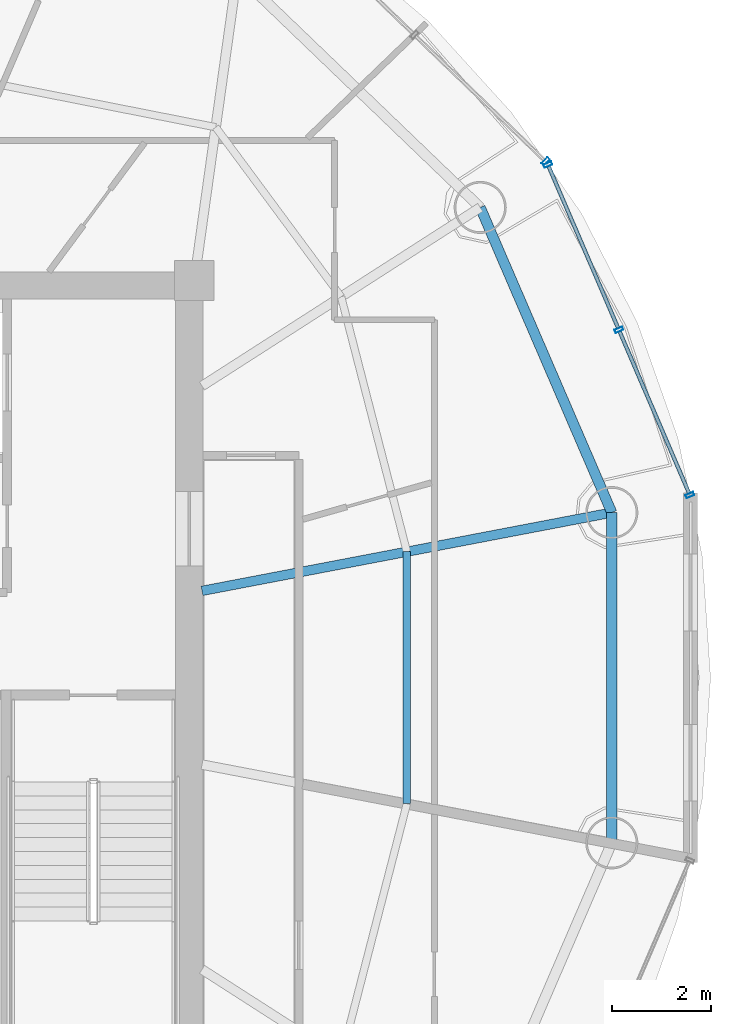
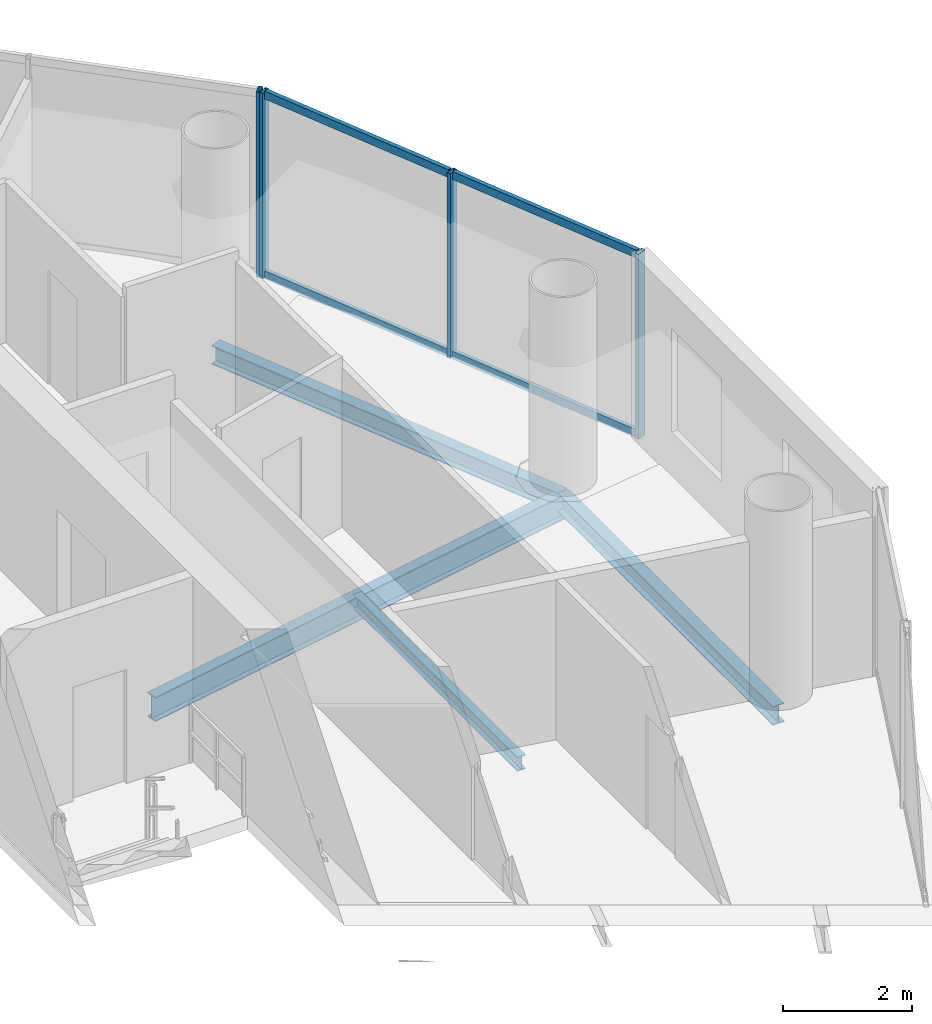
# One storey, part 11 of 23: 8 members, 4 beams, 2 elements without a shape of their own.
"""IFC4 building model written with IfcOpenShell, lengths in metres."""

from ifc_helpers import new_model, si_unit, direction, frame, origin, origin_2d, place, context, subcontext, project, spatial, hollow_rectangle, i_section, extrude, source, transform, mapped, material, material_profile, profile_set, type_object, element, aggregate, save


model = new_model("IFC4")

# Units and contexts
model_context = context("Model", 3, precision=1e-05, world=origin(), true_north=direction((-0.2419218956, 0.970295726276)))
body_context = subcontext(model_context, "Body", "Model", "MODEL_VIEW")
ifc_project = project(units=[si_unit("LENGTHUNIT", "METRE"), si_unit("AREAUNIT", "SQUARE_METRE"), si_unit("VOLUMEUNIT", "CUBIC_METRE"), si_unit("PLANEANGLEUNIT", "RADIAN"), si_unit("MASSUNIT", "GRAM", prefix="KILO")], contexts=[model_context])

# Site, building, storey
site_placement = place(None, origin())
site = spatial("IfcSite", under=ifc_project, at=site_placement, CompositionType="ELEMENT")
building_placement = place(site_placement, origin())
building = spatial("IfcBuilding", under=site, at=building_placement, Name="Cobrevalo Terracotta Tower", CompositionType="ELEMENT")
storey_placement = place(building_placement, frame((0.0, 0.0, 259.449951171875)))
storey = spatial("IfcBuildingStorey", under=building, at=storey_placement, Name="L68", CompositionType="ELEMENT", Elevation=259.449951171875)

# Beams
ifc_material_1 = material(Name="Steel S355", Category="steel")
ifc_material_profile_1 = material_profile(ifc_material_1, i_section(OverallWidth=0.19091796875, OverallDepth=0.4599609375, WebThickness=0.010009765625, FlangeThickness=0.01611328125, at=origin_2d()), Name="W 460x82")
ifc_profile_set_1 = profile_set([ifc_material_profile_1], Name="Steel S355")
beam_type_1 = type_object("IfcBeamType", Name="Structural Beam W 460x82 (Steel S355)", PredefinedType="BEAM", material=ifc_profile_set_1)
beam_1_placement = place(storey_placement, frame((55.408935546875, 30.126220703125, -0.489990234375), z_axis=(-0.982234917636, -0.187655446433, 0.0), x_axis=(0.187655446433, -0.982234917636, 0.0)))
element("IfcBeam", 1, at=beam_1_placement, inside=storey, type_object=beam_type_1, Name="L68 radial floor girder 01", PredefinedType="BEAM", context=body_context, shape_type="SweptSolid", body=[
    extrude(i_section(OverallWidth=0.19091796875, OverallDepth=0.4599609375, WebThickness=0.010009765625, FlangeThickness=0.01611328125, at=origin_2d()), origin(), (0.0, 0.0, 1.0), 8.403076171875),
])
ifc_material_profile_2 = material_profile(ifc_material_1, i_section(OverallWidth=0.14794921875, OverallDepth=0.26611328125, WebThickness=0.007568359375, FlangeThickness=0.012939453125, at=origin_2d()), Name="W 250x44.8")
ifc_profile_set_2 = profile_set([ifc_material_profile_2], Name="Steel S355")
beam_type_2 = type_object("IfcBeamType", Name="Structural Joist W 250x44.8 (Steel S355)", PredefinedType="JOIST", material=ifc_profile_set_2)
beam_2_placement = place(storey_placement, frame((51.281982421875, 24.26220703125, -0.39306640625), z_axis=(0.0, 1.0, 0.0), x_axis=(-1.0, 0.0, 0.0)))
element("IfcBeam", 2, at=beam_2_placement, inside=storey, type_object=beam_type_2, Name="L68 circumferential secondary floor joist 16", PredefinedType="JOIST", context=body_context, shape_type="SweptSolid", body=[
    extrude(i_section(OverallWidth=0.14794921875, OverallDepth=0.26611328125, WebThickness=0.007568359375, FlangeThickness=0.012939453125, at=origin_2d()), origin(), (0.0, 0.0, 1.0), 5.075439453125),
])
ifc_material_profile_3 = material_profile(ifc_material_1, i_section(OverallWidth=0.205078125, OverallDepth=0.35400390625, WebThickness=0.009521484375, FlangeThickness=0.016845703125, at=origin_2d()), Name="W 360x79")
ifc_profile_set_3 = profile_set([ifc_material_profile_3], Name="Steel S355")
beam_type_3 = type_object("IfcBeamType", Name="Structural Spandrel W 360x79 (Steel S355)", PredefinedType="SPANDREL", material=ifc_profile_set_3)
beam_3_placement = place(storey_placement, frame((55.408935546875, 30.126220703125, -0.43701171875), z_axis=(-0.395974127655, 0.918261667624, 0.0), x_axis=(-0.918261667624, -0.395974127655, 0.0)))
element("IfcBeam", 3, at=beam_3_placement, inside=storey, type_object=beam_type_3, Name="L68 perimeter ring spandrel 01", PredefinedType="SPANDREL", context=body_context, shape_type="SweptSolid", body=[
    extrude(i_section(OverallWidth=0.205078125, OverallDepth=0.35400390625, WebThickness=0.009521484375, FlangeThickness=0.016845703125, at=origin_2d()), origin(), (0.0, 0.0, 1.0), 6.693359375),
])
beam_4_placement = place(storey_placement, frame((55.408935546875, 23.4736328125, -0.43701171875), z_axis=(0.0, 1.0, 0.0), x_axis=(-1.0, 0.0, 0.0)))
element("IfcBeam", 4, at=beam_4_placement, inside=storey, type_object=beam_type_3, Name="L68 perimeter ring spandrel 16", PredefinedType="SPANDREL", context=body_context, shape_type="SweptSolid", body=[
    extrude(i_section(OverallWidth=0.205078125, OverallDepth=0.35400390625, WebThickness=0.009521484375, FlangeThickness=0.016845703125, at=origin_2d()), origin(), (0.0, 0.0, 1.0), 6.652587890625),
])

# Curtain wall, members
ifc_material_2 = material(Name="Anodized aluminium", Category="aluminium")
curtain_wall_type = type_object("IfcCurtainWallType", Name="Upper-tower triple-glazed penthouse curtain wall CW-U3", PredefinedType="NOTDEFINED", material=ifc_material_2)
curtain_wall_1_placement = place(storey_placement, origin())
curtain_wall_1 = element("IfcCurtainWall", 5, at=curtain_wall_1_placement, inside=storey, type_object=curtain_wall_type, Name="L68 curtain wall CW-L68-S01", PredefinedType="NOTDEFINED")
ifc_material_profile_4 = material_profile(ifc_material_2, hollow_rectangle(XDim=0.070068359375, YDim=0.169921875, WallThickness=0.00439453125, at=origin_2d()), Name="CWM 70x170")
ifc_profile_set_4 = profile_set([ifc_material_profile_4], Name="Anodized aluminium")
member_type_1 = type_object("IfcMemberType", Name="Upper tower unitised mullion 70x170", PredefinedType="MULLION", material=ifc_profile_set_4)
shared_shape_1 = source(origin(), body_context, "Body", "SweptSolid", [
    extrude(hollow_rectangle(XDim=0.070068359375, YDim=0.169921875, WallThickness=0.00439453125, at=origin_2d()), origin(), (0.0, 0.0, 1.0), 3.489990234375),
])
member_1_placement = place(storey_placement, frame((56.98193359375, 30.47900390625, 0.0), z_axis=(0.0, 0.0, 1.0), x_axis=(-0.39482403454, 0.91875675875, 0.0)))
member_1 = element("IfcMember", 6, at=member_1_placement, type_object=member_type_1, Name="CW-L68-S01 vertical mullion 01", PredefinedType="MULLION", context=body_context, shape_type="MappedRepresentation", body=[
    mapped(shared_shape_1, transform((0.0, 0.0, 0.0), scale=1.0)),
])
member_2_placement = place(storey_placement, frame((55.5517578125, 33.807373046875, 0.0), z_axis=(0.0, 0.0, 1.0), x_axis=(-0.39482403454, 0.91875675875, 0.0)))
member_2 = element("IfcMember", 7, at=member_2_placement, type_object=member_type_1, Name="CW-L68-S01 vertical mullion 02", PredefinedType="MULLION", context=body_context, shape_type="MappedRepresentation", body=[
    mapped(shared_shape_1, transform((0.0, 0.0, 0.0), scale=1.0)),
])
member_3_placement = place(storey_placement, frame((54.121337890625, 37.1357421875, 0.0), z_axis=(0.0, 0.0, 1.0), x_axis=(-0.39482403454, 0.91875675875, 0.0)))
member_3 = element("IfcMember", 8, at=member_3_placement, type_object=member_type_1, Name="CW-L68-S01 vertical mullion 03", PredefinedType="MULLION", context=body_context, shape_type="MappedRepresentation", body=[
    mapped(shared_shape_1, transform((0.0, 0.0, 0.0), scale=1.0)),
])

# Curtain wall, member
curtain_wall_2_placement = place(storey_placement, origin())
curtain_wall_2 = element("IfcCurtainWall", 9, at=curtain_wall_2_placement, inside=storey, type_object=curtain_wall_type, Name="L68 curtain wall CW-L68-S02", PredefinedType="NOTDEFINED")
member_4_placement = place(storey_placement, frame((54.07666015625, 37.2001953125, 0.0), z_axis=(0.0, 0.0, 1.0), x_axis=(-0.71999418085, 0.69398010025, 0.0)))
member_4 = element("IfcMember", 10, at=member_4_placement, type_object=member_type_1, Name="CW-L68-S02 vertical mullion 01", PredefinedType="MULLION", context=body_context, shape_type="MappedRepresentation", body=[
    mapped(shared_shape_1, transform((0.0, 0.0, 0.0), scale=1.0)),
])
aggregate(curtain_wall_2, [member_4])

# Member
ifc_material_profile_5 = material_profile(ifc_material_2, hollow_rectangle(XDim=0.074951171875, YDim=0.14990234375, WallThickness=0.00439453125, at=origin_2d()), Name="CWT 75x150")
ifc_profile_set_5 = profile_set([ifc_material_profile_5], Name="Anodized aluminium")
member_type_2 = type_object("IfcMemberType", Name="Tower unitised aluminium transom 75x150", PredefinedType="USERDEFINED", material=ifc_profile_set_5)
shared_shape_2 = source(origin(), body_context, "Body", "SweptSolid", [
    extrude(hollow_rectangle(XDim=0.074951171875, YDim=0.14990234375, WallThickness=0.00439453125, at=origin_2d()), origin(), (0.0, 0.0, 1.0), 3.54248046875),
])
member_5_placement = place(storey_placement, frame((55.535888671875, 33.84423828125, 0.050048828125), z_axis=(-0.394834055841, 0.918752452159, 0.0), x_axis=(-0.918752452159, -0.394834055841, 0.0)))
member_5 = element("IfcMember", 11, at=member_5_placement, type_object=member_type_2, Name="CW-L68-S01 transom B02-T1", ObjectType="TRANSOM", PredefinedType="USERDEFINED", context=body_context, shape_type="MappedRepresentation", body=[
    mapped(shared_shape_2, transform((0.0, 0.0, 0.0), scale=1.0)),
])

member_6_placement = place(storey_placement, frame((55.535888671875, 33.84423828125, 3.43994140625), z_axis=(-0.394834055841, 0.918752452159, 0.0), x_axis=(-0.918752452159, -0.394834055841, 0.0)))
member_6 = element("IfcMember", 12, at=member_6_placement, type_object=member_type_2, Name="CW-L68-S01 transom B02-T2", ObjectType="TRANSOM", PredefinedType="USERDEFINED", context=body_context, shape_type="MappedRepresentation", body=[
    mapped(shared_shape_2, transform((0.0, 0.0, 0.0), scale=1.0)),
])

shared_shape_3 = source(origin(), body_context, "Body", "SweptSolid", [
    extrude(hollow_rectangle(XDim=0.074951171875, YDim=0.14990234375, WallThickness=0.00439453125, at=origin_2d()), origin(), (0.0, 0.0, 1.0), 3.542724609375),
])
member_7_placement = place(storey_placement, frame((56.96630859375, 30.515869140625, 0.050048828125), z_axis=(-0.394867226589, 0.918738196314, 0.0), x_axis=(-0.918738196314, -0.394867226589, 0.0)))
member_7 = element("IfcMember", 13, at=member_7_placement, type_object=member_type_2, Name="CW-L68-S01 transom B01-T1", ObjectType="TRANSOM", PredefinedType="USERDEFINED", context=body_context, shape_type="MappedRepresentation", body=[
    mapped(shared_shape_3, transform((0.0, 0.0, 0.0), scale=1.0)),
])

member_8_placement = place(storey_placement, frame((56.96630859375, 30.515869140625, 3.43994140625), z_axis=(-0.394867226589, 0.918738196314, 0.0), x_axis=(-0.918738196314, -0.394867226589, 0.0)))
member_8 = element("IfcMember", 14, at=member_8_placement, type_object=member_type_2, Name="CW-L68-S01 transom B01-T2", ObjectType="TRANSOM", PredefinedType="USERDEFINED", context=body_context, shape_type="MappedRepresentation", body=[
    mapped(shared_shape_3, transform((0.0, 0.0, 0.0), scale=1.0)),
])

aggregate(curtain_wall_1, [member_1, member_2, member_3, member_7, member_8, member_5, member_6])

save(model, "model.ifc")
